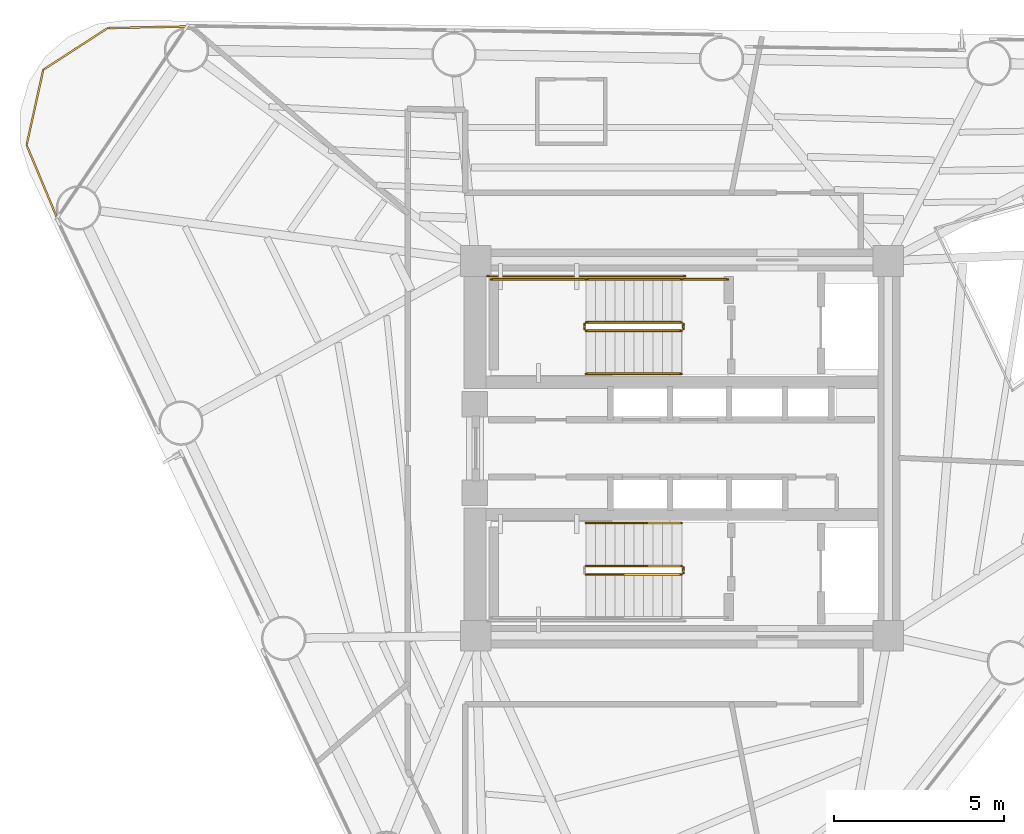
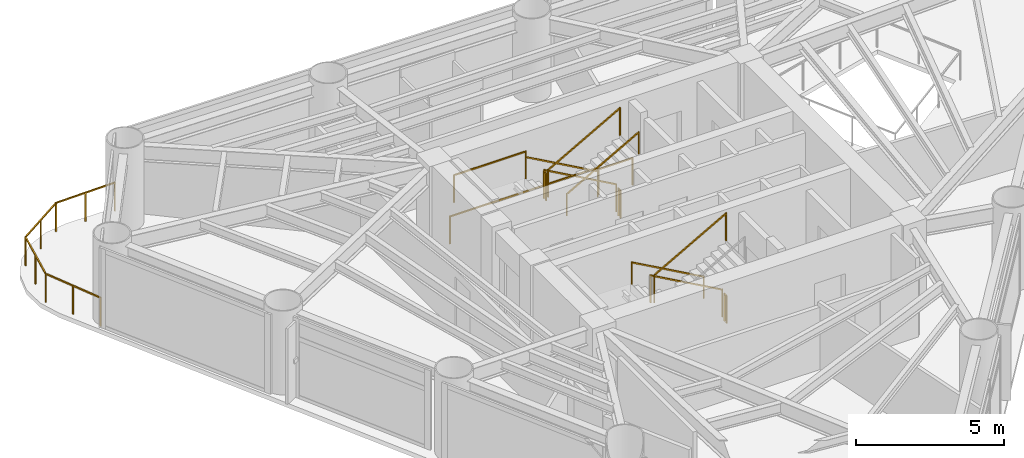
# One storey, part 10 of 11: 14 railings.
"""IFC4 building model written with IfcOpenShell, lengths in metres."""

import ifcopenshell
import ifcopenshell.guid

model = None  # the IFC model being written
_history = None  # IfcOwnerHistory: only IFC2X3 demands one
_inside = {}  # id of a spatial element -> (the spatial element, [elements in it])
_under = {}  # id of a project, library or spatial element -> (it, [spatial elements below it])
_declared = {}  # id of a project -> (the project, [libraries it declares])
_typed = {}  # id of a type object -> (the type object, [elements of that type])
_made_of = {}  # id of a material, layer set ... -> (it, [elements and type objects made of it])


def new_model(schema):
    """Start an empty IFC model of exactly this schema.

    Asked for "IFC4X3", IfcOpenShell would pick the latest addendum, in which some entities
    have other attributes; the version numbers below select the first issue.
    IFC2X3 requires an IfcOwnerHistory on every rooted entity: one is made here for all.
    """
    global model, _history
    if schema == "IFC4X3":
        model = ifcopenshell.file(schema_version=(4, 3, 0, 0))
    else:
        model = ifcopenshell.file(schema=schema)
    _inside.clear()
    _under.clear()
    _declared.clear()
    _typed.clear()
    _made_of.clear()
    _history = None
    if model.schema == "IFC2X3":
        org = make("IfcOrganization", Name="unknown")
        user = make(
            "IfcPersonAndOrganization",
            ThePerson=make("IfcPerson", FamilyName="unknown"),
            TheOrganization=org,
        )
        app = make(
            "IfcApplication",
            ApplicationDeveloper=org,
            Version="unknown",
            ApplicationFullName="unknown",
            ApplicationIdentifier="unknown",
        )
        _history = make(
            "IfcOwnerHistory",
            OwningUser=user,
            OwningApplication=app,
            ChangeAction="ADDED",
            CreationDate=0,
        )
    return model


def make(cls, **values):
    """One entity of the class cls with the attributes given. An attribute that is None is left unset."""
    return model.create_entity(
        cls, **{name: value for name, value in values.items() if value is not None}
    )


def rooted(cls, **values):
    """An entity with a GlobalId (a new one), such as an element, a storey or a relation."""
    return make(cls, GlobalId=ifcopenshell.guid.new(), OwnerHistory=_history, **values)


def si_unit(unit_type, name, prefix=None):
    """IfcSIUnit, for example si_unit("LENGTHUNIT", "METRE", prefix="MILLI")."""
    return make("IfcSIUnit", UnitType=unit_type, Prefix=prefix, Name=name)


def assignment(units):
    """IfcUnitAssignment: the units of a project."""
    return None if units is None else make("IfcUnitAssignment", Units=units)


def point(xyz):
    """IfcCartesianPoint."""
    return None if xyz is None else make("IfcCartesianPoint", Coordinates=xyz)


def direction(xyz):
    """IfcDirection."""
    return None if xyz is None else make("IfcDirection", DirectionRatios=xyz)


def frame(location, z_axis=None, x_axis=None):
    """IfcAxis2Placement3D, a coordinate frame: its origin and axes. An axis left out is left unset."""
    return make(
        "IfcAxis2Placement3D",
        Location=point(location),
        Axis=direction(z_axis),
        RefDirection=direction(x_axis),
    )


def frame_2d(location, x_axis=None):
    """IfcAxis2Placement2D, a coordinate frame in the plane: its origin and x axis."""
    return make(
        "IfcAxis2Placement2D", Location=point(location), RefDirection=direction(x_axis)
    )


def origin():
    """The frame at (0, 0, 0) with its axes left unset."""
    return frame((0.0, 0.0, 0.0))


def origin_2d():
    """The frame at (0, 0) in the plane with its x axis left unset."""
    return frame_2d((0.0, 0.0))


def place(relative_to, where):
    """IfcLocalPlacement: puts the frame where relative to a parent placement (None: the world)."""
    return make(
        "IfcLocalPlacement", PlacementRelTo=relative_to, RelativePlacement=where
    )


def context(
    kind, dimensions, precision=None, world=None, true_north=None, identifier=None
):
    """IfcGeometricRepresentationContext, for example the 3D "Model" context."""
    return make(
        "IfcGeometricRepresentationContext",
        ContextIdentifier=identifier,
        ContextType=kind,
        CoordinateSpaceDimension=dimensions,
        Precision=precision,
        WorldCoordinateSystem=world,
        TrueNorth=true_north,
    )


def subcontext(parent, identifier, kind, view, scale=None):
    """IfcGeometricRepresentationSubContext, for example "Body" below "Model"."""
    return make(
        "IfcGeometricRepresentationSubContext",
        ContextIdentifier=identifier,
        ContextType=kind,
        ParentContext=parent,
        TargetScale=scale,
        TargetView=view,
    )


def project(units=None, contexts=None):
    """IfcProject with its units and contexts."""
    return rooted(
        "IfcProject",
        Name="project",
        RepresentationContexts=contexts,
        UnitsInContext=assignment(units),
    )


def spatial(cls, under=None, at=None, **own):
    """A site, building, storey or space (cls), placed at a placement, below another one or the project."""
    s = rooted(cls, ObjectPlacement=at, **own)
    if under is not None:
        _under.setdefault(under.id(), (under, []))[1].append(s)
    return s


def profile(cls, at=None, kind="AREA", **sizes):
    """A parametric profile (cls). Its sizes go by their IFC names, for example OverallWidth=200.0."""
    return make(cls, ProfileType=kind, Position=at, **sizes)


def rectangle(**sizes):
    """IfcRectangleProfileDef."""
    return profile("IfcRectangleProfileDef", **sizes)


def extrude(swept, where, along, depth):
    """IfcExtrudedAreaSolid: the profile swept, set in the frame where, extruded along a direction by depth."""
    return make(
        "IfcExtrudedAreaSolid",
        SweptArea=swept,
        Position=where,
        ExtrudedDirection=direction(along),
        Depth=depth,
    )


def shape(context_of_items, identifier, shape_type, items):
    """IfcShapeRepresentation: the items that make up one representation, for example the "Body"."""
    return make(
        "IfcShapeRepresentation",
        ContextOfItems=context_of_items,
        RepresentationIdentifier=identifier,
        RepresentationType=shape_type,
        Items=items,
    )


def material(Name=None, Category=None):
    """IfcMaterial."""
    return make("IfcMaterial", Name=Name, Category=Category)


def made_of(thing, what):
    """Note that an element or type object is made of a material, layer set ...; save() writes the relation."""
    if what is not None:
        _made_of.setdefault(what.id(), (what, []))[1].append(thing)
    return thing


def type_object(cls, material=None, **own):
    """A type object (cls), such as IfcWallType, which elements share."""
    return made_of(rooted(cls, **own), material)


def element(
    cls,
    number,
    at=None,
    inside=None,
    cuts=None,
    type_object=None,
    material=None,
    context=None,
    identifier="Body",
    shape_type=None,
    held_by="IfcProductDefinitionShape",
    body=None,
    shapes=None,
    **own,
):
    """One element of the class cls, such as IfcWall. Its Tag is "e" and its number.

    at: its placement. inside: the storey or other place that contains it. cuts: it is an
    opening in that element (IfcRelVoidsElement). A single representation is given by context,
    identifier, shape_type and body (its items); several are given by shapes. held_by: the class
    of the entity that holds the representations. save() writes the other relations.
    """
    e = rooted(cls, Tag="e%d" % number, ObjectPlacement=at, **own)
    if body is not None:
        shapes = [shape(context, identifier, shape_type, body)]
    if shapes is not None:
        e.Representation = make(held_by, Representations=shapes)
    if inside is not None:
        _inside.setdefault(inside.id(), (inside, []))[1].append(e)
    if cuts is not None:
        rooted(
            "IfcRelVoidsElement", RelatingBuildingElement=cuts, RelatedOpeningElement=e
        )
    if type_object is not None:
        _typed.setdefault(type_object.id(), (type_object, []))[1].append(e)
    return made_of(e, material)


def aggregate(whole, parts):
    """IfcRelAggregates: a whole, such as a stair, and the parts it consists of."""
    return rooted("IfcRelAggregates", RelatingObject=whole, RelatedObjects=parts)


def save(model, path):
    """Write the relations noted so far, then the file.

    IfcRelAggregates (storeys below a building ...), IfcRelContainedInSpatialStructure (elements
    in a storey), IfcRelDefinesByType, IfcRelAssociatesMaterial and IfcRelDeclares: one each for
    every whole, place, type object, material and project.
    """
    for whole, parts in _under.values():
        aggregate(whole, parts)
    for where, things in _inside.values():
        rooted(
            "IfcRelContainedInSpatialStructure",
            RelatedElements=things,
            RelatingStructure=where,
        )
    for kind, things in _typed.values():
        rooted("IfcRelDefinesByType", RelatedObjects=things, RelatingType=kind)
    for what, things in _made_of.values():
        rooted("IfcRelAssociatesMaterial", RelatedObjects=things, RelatingMaterial=what)
    for by, libraries in _declared.values():
        rooted("IfcRelDeclares", RelatingContext=by, RelatedDefinitions=libraries)
    model.write(path)


model = new_model("IFC4")

# Units and contexts
model_context = context("Model", 3, precision=1e-05, world=origin(), true_north=direction((0.0, 1.0)))
body_context = subcontext(model_context, "Body", "Model", "MODEL_VIEW")
ifc_project = project(units=[si_unit("LENGTHUNIT", "METRE"), si_unit("AREAUNIT", "SQUARE_METRE"), si_unit("VOLUMEUNIT", "CUBIC_METRE"), si_unit("PLANEANGLEUNIT", "RADIAN"), si_unit("MASSUNIT", "GRAM", prefix="KILO")], contexts=[model_context])

# Site, building, storey
site_placement = place(None, origin())
site = spatial("IfcSite", under=ifc_project, at=site_placement, CompositionType="ELEMENT")
building_placement = place(site_placement, origin())
building = spatial("IfcBuilding", under=site, at=building_placement, Name="Yunling Apex Tower", CompositionType="ELEMENT")
storey_placement = place(building_placement, frame((0.0, 0.0, 150.199951171875)))
storey = spatial("IfcBuildingStorey", under=building, at=storey_placement, Name="L37", CompositionType="ELEMENT", Elevation=150.199951171875)

# Railings
ifc_material_1 = material(Name="Bronze anodised aluminium", Category="aluminium")
railing_type_1 = type_object("IfcRailingType", Name="RL-BAL-1200", PredefinedType="BALUSTRADE", material=ifc_material_1)
railing_1_placement = place(storey_placement, frame((-18.331298828125, 6.7578125, 0.0)))
element("IfcRailing", 1, at=railing_1_placement, inside=storey, type_object=railing_type_1, Name="RL-CRNSILL-L37-2", PredefinedType="BALUSTRADE", context=body_context, shape_type="SweptSolid", body=[
    extrude(rectangle(XDim=0.0439453125, YDim=0.0439453125, at=origin_2d()), origin(), (0.0, 0.0, 1.0), 1.199951171875),
    extrude(rectangle(XDim=0.0439453125, YDim=0.0439453125, at=origin_2d()), frame((-0.896240234375, 2.142578125, 0.0)), (0.0, 0.0, 1.0), 1.199951171875),
    extrude(rectangle(XDim=0.050048828125, YDim=0.050048828125, at=origin_2d()), frame((-0.014892578125, 0.035400390625, 1.1748046875), z_axis=(-0.385898856138, 0.92254109547, 0.0), x_axis=(-0.92254109547, -0.385898856138, 0.0)), (0.0, 0.0, 1.0), 2.245849609375),
    extrude(rectangle(XDim=0.0439453125, YDim=0.0439453125, at=origin_2d()), frame((-0.4482421875, 1.0712890625, 0.0)), (0.0, 0.0, 1.0), 1.14599609375),
    extrude(rectangle(XDim=0.0439453125, YDim=0.0439453125, at=origin_2d()), frame((-0.407958984375, 4.349609375, 0.0)), (0.0, 0.0, 1.0), 1.199951171875),
    extrude(rectangle(XDim=0.050048828125, YDim=0.050048828125, at=origin_2d()), frame((-0.887939453125, 2.179931640625, 1.1748046875), z_axis=(0.216015473483, 0.976389940145, 0.0), x_axis=(-0.976389940145, 0.216015473483, 0.0)), (0.0, 0.0, 1.0), 2.183837890625),
    extrude(rectangle(XDim=0.0439453125, YDim=0.0439453125, at=origin_2d()), frame((-0.652099609375, 3.24609375, 0.0)), (0.0, 0.0, 1.0), 1.14599609375),
    extrude(rectangle(XDim=0.0439453125, YDim=0.0439453125, at=origin_2d()), frame((1.482666015625, 5.574951171875, 0.0)), (0.0, 0.0, 1.0), 1.199951171875),
    extrude(rectangle(XDim=0.050048828125, YDim=0.050048828125, at=origin_2d()), frame((-0.375732421875, 4.370361328125, 1.1748046875), z_axis=(0.83916580884, 0.543875670786, 0.0), x_axis=(-0.543875670786, 0.83916580884, 0.0)), (0.0, 0.0, 1.0), 2.17626953125),
    extrude(rectangle(XDim=0.0439453125, YDim=0.0439453125, at=origin_2d()), frame((0.537353515625, 4.96240234375, 0.0)), (0.0, 0.0, 1.0), 1.14599609375),
    extrude(rectangle(XDim=0.0439453125, YDim=0.0439453125, at=origin_2d()), frame((3.805419921875, 5.6220703125, 0.0)), (0.0, 0.0, 1.0), 1.199951171875),
    extrude(rectangle(XDim=0.050048828125, YDim=0.050048828125, at=origin_2d()), frame((1.52099609375, 5.57568359375, 1.1748046875), z_axis=(0.999794304726, 0.020281721759, 0.0), x_axis=(-0.020281721759, 0.999794304726, 0.0)), (0.0, 0.0, 1.0), 2.24658203125),
    extrude(rectangle(XDim=0.0439453125, YDim=0.0439453125, at=origin_2d()), frame((2.64404296875, 5.5986328125, 0.0)), (0.0, 0.0, 1.0), 1.14599609375),
])
ifc_material_2 = material(Name="Steel Q355B", Category="steel")
railing_type_2 = type_object("IfcRailingType", Name="RL-GRD-1150", PredefinedType="GUARDRAIL", material=ifc_material_2)
railing_2_placement = place(storey_placement, frame((-0.010009765625, 3.699951171875, 0.156982421875)))
element("IfcRailing", 2, at=railing_2_placement, inside=storey, type_object=railing_type_2, Name="L37 ST-1 stair guard 1", PredefinedType="GUARDRAIL", context=body_context, shape_type="SweptSolid", body=[
    extrude(rectangle(XDim=0.0439453125, YDim=0.0439453125, at=origin_2d()), origin(), (0.0, 0.0, 1.0), 1.14990234375),
    extrude(rectangle(XDim=0.0439453125, YDim=0.0439453125, at=origin_2d()), frame((-2.800048828125, 0.0, 1.568115234375)), (0.0, 0.0, 1.0), 1.14990234375),
    extrude(rectangle(XDim=0.050048828125, YDim=0.050048828125, at=origin_2d()), frame((-0.033447265625, 0.0, 1.1435546875), z_axis=(-0.872494340497, 0.0, 0.48862421737), x_axis=(0.0, -1.0, 0.0)), (0.0, 0.0, 1.0), 3.132568359375),
])
railing_3_placement = place(storey_placement, frame((-2.860107421875, 3.64990234375, 1.72509765625)))
element("IfcRailing", 3, at=railing_3_placement, inside=storey, type_object=railing_type_2, Name="L37 ST-1 stair guard 2", PredefinedType="GUARDRAIL", context=body_context, shape_type="SweptSolid", body=[
    extrude(rectangle(XDim=0.0439453125, YDim=0.0439453125, at=origin_2d()), origin(), (0.0, 0.0, 1.0), 1.14990234375),
    extrude(rectangle(XDim=0.0439453125, YDim=0.0439453125, at=origin_2d()), frame((0.0, -0.14990234375, 0.0)), (0.0, 0.0, 1.0), 1.14990234375),
    extrude(rectangle(XDim=0.050048828125, YDim=0.050048828125, at=origin_2d()), frame((0.0, -0.038330078125, 1.125), z_axis=(0.0, -1.0, 0.0), x_axis=(1.0, 0.0, 0.0)), (0.0, 0.0, 1.0), 0.0732421875),
])
railing_4_placement = place(storey_placement, frame((-2.81005859375, 4.9599609375, 1.72509765625)))
element("IfcRailing", 4, at=railing_4_placement, inside=storey, type_object=railing_type_2, Name="L37 ST-1 stair guard 3", PredefinedType="GUARDRAIL", context=body_context, shape_type="SweptSolid", body=[
    extrude(rectangle(XDim=0.0439453125, YDim=0.0439453125, at=origin_2d()), origin(), (0.0, 0.0, 1.0), 1.14990234375),
    extrude(rectangle(XDim=0.0439453125, YDim=0.0439453125, at=origin_2d()), frame((-2.7900390625, 0.0, 0.0)), (0.0, 0.0, 1.0), 1.14990234375),
    extrude(rectangle(XDim=0.050048828125, YDim=0.050048828125, at=origin_2d()), frame((-0.038330078125, 0.0, 1.125), z_axis=(-1.0, 0.0, 0.0), x_axis=(0.0, -1.0, 0.0)), (0.0, 0.0, 1.0), 2.71337890625),
])
railing_5_placement = place(storey_placement, frame((-2.81005859375, 3.449951171875, 1.8818359375)))
element("IfcRailing", 5, at=railing_5_placement, inside=storey, type_object=railing_type_2, Name="L37 ST-1 stair guard 4", PredefinedType="GUARDRAIL", context=body_context, shape_type="SweptSolid", body=[
    extrude(rectangle(XDim=0.0439453125, YDim=0.0439453125, at=origin_2d()), origin(), (0.0, 0.0, 1.0), 1.14990234375),
    extrude(rectangle(XDim=0.0439453125, YDim=0.0439453125, at=origin_2d()), frame((2.800048828125, 0.0, 1.568115234375)), (0.0, 0.0, 1.0), 1.14990234375),
    extrude(rectangle(XDim=0.050048828125, YDim=0.050048828125, at=origin_2d()), frame((0.033447265625, 0.0, 1.1435546875), z_axis=(0.872494340497, 0.0, 0.48862421737), x_axis=(0.0, 1.0, 0.0)), (0.0, 0.0, 1.0), 3.132568359375),
])
railing_6_placement = place(storey_placement, frame((0.0400390625, 3.64990234375, 0.0)))
element("IfcRailing", 6, at=railing_6_placement, inside=storey, type_object=railing_type_2, Name="L37 ST-1 stair guard 5", PredefinedType="GUARDRAIL", context=body_context, shape_type="SweptSolid", body=[
    extrude(rectangle(XDim=0.0439453125, YDim=0.0439453125, at=origin_2d()), origin(), (0.0, 0.0, 1.0), 1.14990234375),
    extrude(rectangle(XDim=0.0439453125, YDim=0.0439453125, at=origin_2d()), frame((0.0, -0.14990234375, 0.0)), (0.0, 0.0, 1.0), 1.14990234375),
    extrude(rectangle(XDim=0.050048828125, YDim=0.050048828125, at=origin_2d()), frame((0.0, -0.038330078125, 1.125), z_axis=(0.0, -1.0, 0.0), x_axis=(1.0, 0.0, 0.0)), (0.0, 0.0, 1.0), 0.0732421875),
])
railing_7_placement = place(storey_placement, frame((1.35009765625, 4.9599609375, 0.0)))
element("IfcRailing", 7, at=railing_7_placement, inside=storey, type_object=railing_type_2, Name="L37 ST-1 stair guard 6", PredefinedType="GUARDRAIL", context=body_context, shape_type="SweptSolid", body=[
    extrude(rectangle(XDim=0.0439453125, YDim=0.0439453125, at=origin_2d()), origin(), (0.0, 0.0, 1.0), 1.14990234375),
    extrude(rectangle(XDim=0.0439453125, YDim=0.0439453125, at=origin_2d()), frame((-1.360107421875, 0.0, 0.0)), (0.0, 0.0, 1.0), 1.14990234375),
    extrude(rectangle(XDim=0.050048828125, YDim=0.050048828125, at=origin_2d()), frame((-0.038330078125, 0.0, 1.125), z_axis=(-1.0, 0.0, 0.0), x_axis=(0.0, -1.0, 0.0)), (0.0, 0.0, 1.0), 1.283447265625),
])
railing_8_placement = place(storey_placement, frame((0.090087890625, 5.06005859375, 0.0)))
element("IfcRailing", 8, at=railing_8_placement, inside=storey, type_object=railing_type_2, Name="L37 ST-1 stair guard 7", PredefinedType="GUARDRAIL", context=body_context, shape_type="SweptSolid", body=[
    extrude(rectangle(XDim=0.0439453125, YDim=0.0439453125, at=origin_2d()), origin(), (0.0, 0.0, 1.0), 1.14990234375),
    extrude(rectangle(XDim=0.0439453125, YDim=0.0439453125, at=origin_2d()), frame((-5.7900390625, 0.0, 0.0)), (0.0, 0.0, 1.0), 1.14990234375),
    extrude(rectangle(XDim=0.050048828125, YDim=0.050048828125, at=origin_2d()), frame((-0.038330078125, 0.0, 1.125), z_axis=(-1.0, 0.0, 0.0), x_axis=(0.0, -1.0, 0.0)), (0.0, 0.0, 1.0), 5.71337890625),
])
railing_9_placement = place(storey_placement, frame((-0.010009765625, -3.449951171875, 0.156982421875)))
element("IfcRailing", 9, at=railing_9_placement, inside=storey, type_object=railing_type_2, Name="L37 ST-2 stair guard 1", PredefinedType="GUARDRAIL", context=body_context, shape_type="SweptSolid", body=[
    extrude(rectangle(XDim=0.0439453125, YDim=0.0439453125, at=origin_2d()), origin(), (0.0, 0.0, 1.0), 1.14990234375),
    extrude(rectangle(XDim=0.0439453125, YDim=0.0439453125, at=origin_2d()), frame((-2.800048828125, 0.0, 1.568115234375)), (0.0, 0.0, 1.0), 1.14990234375),
    extrude(rectangle(XDim=0.050048828125, YDim=0.050048828125, at=origin_2d()), frame((-0.033447265625, 0.0, 1.1435546875), z_axis=(-0.872494340497, 0.0, 0.48862421737), x_axis=(0.0, -1.0, 0.0)), (0.0, 0.0, 1.0), 3.132568359375),
])
railing_10_placement = place(storey_placement, frame((-2.81005859375, -3.699951171875, 1.8818359375)))
element("IfcRailing", 10, at=railing_10_placement, inside=storey, type_object=railing_type_2, Name="L37 ST-2 stair guard 4", PredefinedType="GUARDRAIL", context=body_context, shape_type="SweptSolid", body=[
    extrude(rectangle(XDim=0.0439453125, YDim=0.0439453125, at=origin_2d()), origin(), (0.0, 0.0, 1.0), 1.14990234375),
    extrude(rectangle(XDim=0.0439453125, YDim=0.0439453125, at=origin_2d()), frame((2.800048828125, 0.0, 1.568115234375)), (0.0, 0.0, 1.0), 1.14990234375),
    extrude(rectangle(XDim=0.050048828125, YDim=0.050048828125, at=origin_2d()), frame((0.033447265625, 0.0, 1.1435546875), z_axis=(0.872494340497, 0.0, 0.48862421737), x_axis=(0.0, 1.0, 0.0)), (0.0, 0.0, 1.0), 3.132568359375),
])
railing_11_placement = place(storey_placement, frame((0.0400390625, -3.5, 0.0)))
element("IfcRailing", 11, at=railing_11_placement, inside=storey, type_object=railing_type_2, Name="L37 ST-2 stair guard 5", PredefinedType="GUARDRAIL", context=body_context, shape_type="SweptSolid", body=[
    extrude(rectangle(XDim=0.0439453125, YDim=0.0439453125, at=origin_2d()), origin(), (0.0, 0.0, 1.0), 1.14990234375),
    extrude(rectangle(XDim=0.0439453125, YDim=0.0439453125, at=origin_2d()), frame((0.0, -0.14990234375, 0.0)), (0.0, 0.0, 1.0), 1.14990234375),
    extrude(rectangle(XDim=0.050048828125, YDim=0.050048828125, at=origin_2d()), frame((0.0, -0.038330078125, 1.125), z_axis=(0.0, -1.0, 0.0), x_axis=(1.0, 0.0, 0.0)), (0.0, 0.0, 1.0), 0.0732421875),
])
ifc_material_3 = material(Name="Silver anodised aluminium", Category="aluminium")
railing_type_3 = type_object("IfcRailingType", Name="RL-HND-900", PredefinedType="HANDRAIL", material=ifc_material_3)
railing_12_placement = place(storey_placement, frame((-0.010009765625, 4.9599609375, 0.156982421875)))
element("IfcRailing", 12, at=railing_12_placement, inside=storey, type_object=railing_type_3, Name="L37 ST-1 stair handrail 1", PredefinedType="HANDRAIL", context=body_context, shape_type="SweptSolid", body=[
    extrude(rectangle(XDim=0.0439453125, YDim=0.0439453125, at=origin_2d()), origin(), (0.0, 0.0, 1.0), 0.919921875),
    extrude(rectangle(XDim=0.0439453125, YDim=0.0439453125, at=origin_2d()), frame((-2.800048828125, 0.0, 1.568115234375)), (0.0, 0.0, 1.0), 0.919921875),
    extrude(rectangle(XDim=0.050048828125, YDim=0.050048828125, at=origin_2d()), frame((-0.033447265625, 0.0, 0.91357421875), z_axis=(-0.872494340497, 0.0, 0.48862421737), x_axis=(0.0, -1.0, 0.0)), (0.0, 0.0, 1.0), 3.132568359375),
])
railing_13_placement = place(storey_placement, frame((-2.81005859375, 2.18994140625, 1.8818359375)))
element("IfcRailing", 13, at=railing_13_placement, inside=storey, type_object=railing_type_3, Name="L37 ST-1 stair handrail 2", PredefinedType="HANDRAIL", context=body_context, shape_type="SweptSolid", body=[
    extrude(rectangle(XDim=0.0439453125, YDim=0.0439453125, at=origin_2d()), origin(), (0.0, 0.0, 1.0), 0.919921875),
    extrude(rectangle(XDim=0.0439453125, YDim=0.0439453125, at=origin_2d()), frame((2.800048828125, 0.0, 1.568115234375)), (0.0, 0.0, 1.0), 0.919921875),
    extrude(rectangle(XDim=0.050048828125, YDim=0.050048828125, at=origin_2d()), frame((0.033447265625, 0.0, 0.91357421875), z_axis=(0.872494340497, 0.0, 0.48862421737), x_axis=(0.0, 1.0, 0.0)), (0.0, 0.0, 1.0), 3.132568359375),
])
railing_14_placement = place(storey_placement, frame((-0.010009765625, -2.18994140625, 0.156982421875)))
element("IfcRailing", 14, at=railing_14_placement, inside=storey, type_object=railing_type_3, Name="L37 ST-2 stair handrail 1", PredefinedType="HANDRAIL", context=body_context, shape_type="SweptSolid", body=[
    extrude(rectangle(XDim=0.0439453125, YDim=0.0439453125, at=origin_2d()), origin(), (0.0, 0.0, 1.0), 0.919921875),
    extrude(rectangle(XDim=0.0439453125, YDim=0.0439453125, at=origin_2d()), frame((-2.800048828125, 0.0, 1.568115234375)), (0.0, 0.0, 1.0), 0.919921875),
    extrude(rectangle(XDim=0.050048828125, YDim=0.050048828125, at=origin_2d()), frame((-0.033447265625, 0.0, 0.91357421875), z_axis=(-0.872494340497, 0.0, 0.48862421737), x_axis=(0.0, -1.0, 0.0)), (0.0, 0.0, 1.0), 3.132568359375),
])

save(model, "model.ifc")
